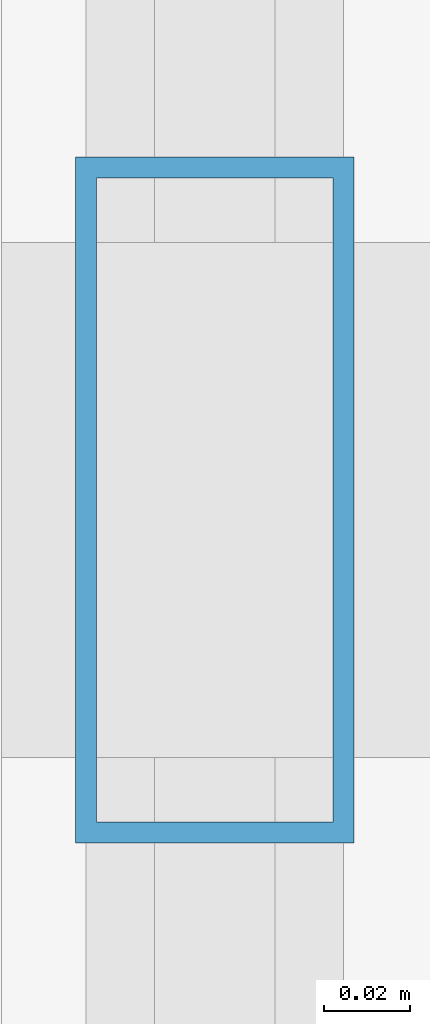
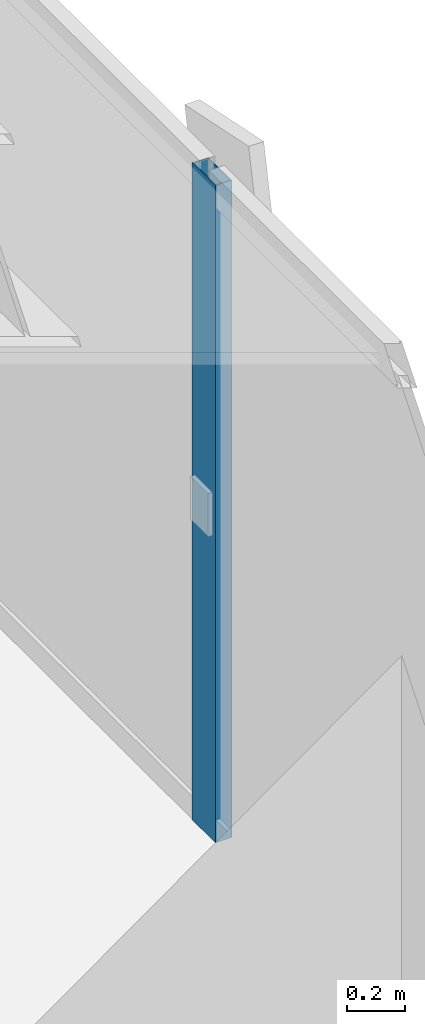
# One storey, part 11 of 28: 1 member, 1 element without a shape of its own.
"""IFC4 building model written with IfcOpenShell, lengths in metres."""

import ifcopenshell
import ifcopenshell.guid

model = None  # the IFC model being written
_history = None  # IfcOwnerHistory: only IFC2X3 demands one
_inside = {}  # id of a spatial element -> (the spatial element, [elements in it])
_under = {}  # id of a project, library or spatial element -> (it, [spatial elements below it])
_declared = {}  # id of a project -> (the project, [libraries it declares])
_typed = {}  # id of a type object -> (the type object, [elements of that type])
_made_of = {}  # id of a material, layer set ... -> (it, [elements and type objects made of it])


def new_model(schema):
    """Start an empty IFC model of exactly this schema.

    Asked for "IFC4X3", IfcOpenShell would pick the latest addendum, in which some entities
    have other attributes; the version numbers below select the first issue.
    IFC2X3 requires an IfcOwnerHistory on every rooted entity: one is made here for all.
    """
    global model, _history
    if schema == "IFC4X3":
        model = ifcopenshell.file(schema_version=(4, 3, 0, 0))
    else:
        model = ifcopenshell.file(schema=schema)
    _inside.clear()
    _under.clear()
    _declared.clear()
    _typed.clear()
    _made_of.clear()
    _history = None
    if model.schema == "IFC2X3":
        org = make("IfcOrganization", Name="unknown")
        user = make(
            "IfcPersonAndOrganization",
            ThePerson=make("IfcPerson", FamilyName="unknown"),
            TheOrganization=org,
        )
        app = make(
            "IfcApplication",
            ApplicationDeveloper=org,
            Version="unknown",
            ApplicationFullName="unknown",
            ApplicationIdentifier="unknown",
        )
        _history = make(
            "IfcOwnerHistory",
            OwningUser=user,
            OwningApplication=app,
            ChangeAction="ADDED",
            CreationDate=0,
        )
    return model


def make(cls, **values):
    """One entity of the class cls with the attributes given. An attribute that is None is left unset."""
    return model.create_entity(
        cls, **{name: value for name, value in values.items() if value is not None}
    )


def rooted(cls, **values):
    """An entity with a GlobalId (a new one), such as an element, a storey or a relation."""
    return make(cls, GlobalId=ifcopenshell.guid.new(), OwnerHistory=_history, **values)


def si_unit(unit_type, name, prefix=None):
    """IfcSIUnit, for example si_unit("LENGTHUNIT", "METRE", prefix="MILLI")."""
    return make("IfcSIUnit", UnitType=unit_type, Prefix=prefix, Name=name)


def assignment(units):
    """IfcUnitAssignment: the units of a project."""
    return None if units is None else make("IfcUnitAssignment", Units=units)


def point(xyz):
    """IfcCartesianPoint."""
    return None if xyz is None else make("IfcCartesianPoint", Coordinates=xyz)


def direction(xyz):
    """IfcDirection."""
    return None if xyz is None else make("IfcDirection", DirectionRatios=xyz)


def frame(location, z_axis=None, x_axis=None):
    """IfcAxis2Placement3D, a coordinate frame: its origin and axes. An axis left out is left unset."""
    return make(
        "IfcAxis2Placement3D",
        Location=point(location),
        Axis=direction(z_axis),
        RefDirection=direction(x_axis),
    )


def frame_2d(location, x_axis=None):
    """IfcAxis2Placement2D, a coordinate frame in the plane: its origin and x axis."""
    return make(
        "IfcAxis2Placement2D", Location=point(location), RefDirection=direction(x_axis)
    )


def origin():
    """The frame at (0, 0, 0) with its axes left unset."""
    return frame((0.0, 0.0, 0.0))


def origin_2d():
    """The frame at (0, 0) in the plane with its x axis left unset."""
    return frame_2d((0.0, 0.0))


def place(relative_to, where):
    """IfcLocalPlacement: puts the frame where relative to a parent placement (None: the world)."""
    return make(
        "IfcLocalPlacement", PlacementRelTo=relative_to, RelativePlacement=where
    )


def context(
    kind, dimensions, precision=None, world=None, true_north=None, identifier=None
):
    """IfcGeometricRepresentationContext, for example the 3D "Model" context."""
    return make(
        "IfcGeometricRepresentationContext",
        ContextIdentifier=identifier,
        ContextType=kind,
        CoordinateSpaceDimension=dimensions,
        Precision=precision,
        WorldCoordinateSystem=world,
        TrueNorth=true_north,
    )


def subcontext(parent, identifier, kind, view, scale=None):
    """IfcGeometricRepresentationSubContext, for example "Body" below "Model"."""
    return make(
        "IfcGeometricRepresentationSubContext",
        ContextIdentifier=identifier,
        ContextType=kind,
        ParentContext=parent,
        TargetScale=scale,
        TargetView=view,
    )


def project(units=None, contexts=None):
    """IfcProject with its units and contexts."""
    return rooted(
        "IfcProject",
        Name="project",
        RepresentationContexts=contexts,
        UnitsInContext=assignment(units),
    )


def spatial(cls, under=None, at=None, **own):
    """A site, building, storey or space (cls), placed at a placement, below another one or the project."""
    s = rooted(cls, ObjectPlacement=at, **own)
    if under is not None:
        _under.setdefault(under.id(), (under, []))[1].append(s)
    return s


def profile(cls, at=None, kind="AREA", **sizes):
    """A parametric profile (cls). Its sizes go by their IFC names, for example OverallWidth=200.0."""
    return make(cls, ProfileType=kind, Position=at, **sizes)


def hollow_rectangle(**sizes):
    """IfcRectangleHollowProfileDef."""
    return profile("IfcRectangleHollowProfileDef", **sizes)


def extrude(swept, where, along, depth):
    """IfcExtrudedAreaSolid: the profile swept, set in the frame where, extruded along a direction by depth."""
    return make(
        "IfcExtrudedAreaSolid",
        SweptArea=swept,
        Position=where,
        ExtrudedDirection=direction(along),
        Depth=depth,
    )


def shape(context_of_items, identifier, shape_type, items):
    """IfcShapeRepresentation: the items that make up one representation, for example the "Body"."""
    return make(
        "IfcShapeRepresentation",
        ContextOfItems=context_of_items,
        RepresentationIdentifier=identifier,
        RepresentationType=shape_type,
        Items=items,
    )


def source(mapping_origin, context_of_items, identifier, shape_type, items):
    """IfcRepresentationMap: a shape defined once, which mapped items show again and again."""
    return make(
        "IfcRepresentationMap",
        MappingOrigin=mapping_origin,
        MappedRepresentation=shape(context_of_items, identifier, shape_type, items),
    )


def transform(
    local_origin,
    x_axis=None,
    y_axis=None,
    z_axis=None,
    scale=None,
    scale2=None,
    scale3=None,
    uniform=True,
):
    """IfcCartesianTransformationOperator3D, or its non-uniform kind. x_axis, y_axis, z_axis: its Axis1, 2, 3."""
    if uniform:
        return make(
            "IfcCartesianTransformationOperator3D",
            Axis1=direction(x_axis),
            Axis2=direction(y_axis),
            LocalOrigin=point(local_origin),
            Scale=scale,
            Axis3=direction(z_axis),
        )
    return make(
        "IfcCartesianTransformationOperator3DnonUniform",
        Axis1=direction(x_axis),
        Axis2=direction(y_axis),
        LocalOrigin=point(local_origin),
        Scale=scale,
        Axis3=direction(z_axis),
        Scale2=scale2,
        Scale3=scale3,
    )


def mapped(mapping_source, mapping_target):
    """IfcMappedItem: shows the shape of a source again, moved by a transform."""
    return make(
        "IfcMappedItem", MappingSource=mapping_source, MappingTarget=mapping_target
    )


def material(Name=None, Category=None):
    """IfcMaterial."""
    return make("IfcMaterial", Name=Name, Category=Category)


def layer(
    of_material, thickness, ventilated=None, Name=None, Category=None, Priority=None
):
    """IfcMaterialLayer: one layer of a wall or slab, of a material (None: an air gap)."""
    return make(
        "IfcMaterialLayer",
        Material=of_material,
        LayerThickness=thickness,
        IsVentilated=ventilated,
        Name=Name,
        Category=Category,
        Priority=Priority,
    )


def layer_set(layers, Name=None):
    """IfcMaterialLayerSet."""
    return make("IfcMaterialLayerSet", MaterialLayers=layers, LayerSetName=Name)


def material_profile(
    of_material, cross_section, Name=None, Category=None, Priority=None
):
    """IfcMaterialProfile: a cross section and its material."""
    return make(
        "IfcMaterialProfile",
        Name=Name,
        Material=of_material,
        Profile=cross_section,
        Priority=Priority,
        Category=Category,
    )


def profile_set(profiles, Name=None, composite=None):
    """IfcMaterialProfileSet."""
    return make(
        "IfcMaterialProfileSet",
        Name=Name,
        MaterialProfiles=profiles,
        CompositeProfile=composite,
    )


def made_of(thing, what):
    """Note that an element or type object is made of a material, layer set ...; save() writes the relation."""
    if what is not None:
        _made_of.setdefault(what.id(), (what, []))[1].append(thing)
    return thing


def type_object(cls, material=None, **own):
    """A type object (cls), such as IfcWallType, which elements share."""
    return made_of(rooted(cls, **own), material)


def element(
    cls,
    number,
    at=None,
    inside=None,
    cuts=None,
    type_object=None,
    material=None,
    context=None,
    identifier="Body",
    shape_type=None,
    held_by="IfcProductDefinitionShape",
    body=None,
    shapes=None,
    **own,
):
    """One element of the class cls, such as IfcWall. Its Tag is "e" and its number.

    at: its placement. inside: the storey or other place that contains it. cuts: it is an
    opening in that element (IfcRelVoidsElement). A single representation is given by context,
    identifier, shape_type and body (its items); several are given by shapes. held_by: the class
    of the entity that holds the representations. save() writes the other relations.
    """
    e = rooted(cls, Tag="e%d" % number, ObjectPlacement=at, **own)
    if body is not None:
        shapes = [shape(context, identifier, shape_type, body)]
    if shapes is not None:
        e.Representation = make(held_by, Representations=shapes)
    if inside is not None:
        _inside.setdefault(inside.id(), (inside, []))[1].append(e)
    if cuts is not None:
        rooted(
            "IfcRelVoidsElement", RelatingBuildingElement=cuts, RelatedOpeningElement=e
        )
    if type_object is not None:
        _typed.setdefault(type_object.id(), (type_object, []))[1].append(e)
    return made_of(e, material)


def aggregate(whole, parts):
    """IfcRelAggregates: a whole, such as a stair, and the parts it consists of."""
    return rooted("IfcRelAggregates", RelatingObject=whole, RelatedObjects=parts)


def save(model, path):
    """Write the relations noted so far, then the file.

    IfcRelAggregates (storeys below a building ...), IfcRelContainedInSpatialStructure (elements
    in a storey), IfcRelDefinesByType, IfcRelAssociatesMaterial and IfcRelDeclares: one each for
    every whole, place, type object, material and project.
    """
    for whole, parts in _under.values():
        aggregate(whole, parts)
    for where, things in _inside.values():
        rooted(
            "IfcRelContainedInSpatialStructure",
            RelatedElements=things,
            RelatingStructure=where,
        )
    for kind, things in _typed.values():
        rooted("IfcRelDefinesByType", RelatedObjects=things, RelatingType=kind)
    for what, things in _made_of.values():
        rooted("IfcRelAssociatesMaterial", RelatedObjects=things, RelatingMaterial=what)
    for by, libraries in _declared.values():
        rooted("IfcRelDeclares", RelatingContext=by, RelatedDefinitions=libraries)
    model.write(path)


model = new_model("IFC4")

# Units and contexts
model_context = context("Model", 3, precision=1e-05, world=origin(), true_north=direction((0.0, 1.0)))
body_context = subcontext(model_context, "Body", "Model", "MODEL_VIEW")
ifc_project = project(units=[si_unit("LENGTHUNIT", "METRE"), si_unit("AREAUNIT", "SQUARE_METRE"), si_unit("VOLUMEUNIT", "CUBIC_METRE"), si_unit("PLANEANGLEUNIT", "RADIAN"), si_unit("MASSUNIT", "GRAM", prefix="KILO")], contexts=[model_context])

# Site, building, storey
site_placement = place(None, origin())
site = spatial("IfcSite", under=ifc_project, at=site_placement, CompositionType="ELEMENT")
building_placement = place(site_placement, origin())
building = spatial("IfcBuilding", under=site, at=building_placement, Name="Sumidabori Civic Tower", CompositionType="ELEMENT")
storey_placement = place(building_placement, frame((0.0, 0.0, 146.0)))
storey = spatial("IfcBuildingStorey", under=building, at=storey_placement, Name="L37", CompositionType="ELEMENT", Elevation=146.0)

# Curtain wall, member
ifc_material = material(Name="Anodised Bronze Aluminium AW-6063-T6", Category="aluminium")
ifc_layer = layer(ifc_material, 0.179931640625, Name="Anodised Bronze Aluminium AW-6063-T6")
ifc_layer_set = layer_set([ifc_layer], Name="Anodised Bronze Aluminium AW-6063-T6")
curtain_wall_type = type_object("IfcCurtainWallType", Name="CW-SYS-3", PredefinedType="NOTDEFINED", material=ifc_layer_set)
curtain_wall_placement = place(storey_placement, origin())
curtain_wall = element("IfcCurtainWall", 1, at=curtain_wall_placement, inside=storey, type_object=curtain_wall_type, Name="Curtain Wall CW:L37:R04", PredefinedType="NOTDEFINED")
ifc_material_profile = material_profile(ifc_material, hollow_rectangle(XDim=0.06494140625, YDim=0.159912109375, WallThickness=0.0048828125, at=origin_2d()), Name="ALU MULLION 160x65")
ifc_profile_set = profile_set([ifc_material_profile], Name="Anodised Bronze Aluminium AW-6063-T6")
member_type = type_object("IfcMemberType", Name="CW-MUL-160", PredefinedType="MULLION", material=ifc_profile_set)
shared_shape = source(origin(), body_context, "Body", "SweptSolid", [
    extrude(hollow_rectangle(XDim=0.06494140625, YDim=0.159912109375, WallThickness=0.0048828125, at=origin_2d()), origin(), (0.0, 0.0, 1.0), 2.760009765625),
])
member_placement = place(storey_placement, frame((23.8798828125, -8.2099609375, 0.0), z_axis=(0.0, 0.0, 1.0), x_axis=(-1.0, 0.0, 0.0)))
member = element("IfcMember", 2, at=member_placement, type_object=member_type, Name="CW-3 mullion 2", PredefinedType="MULLION", context=body_context, shape_type="MappedRepresentation", body=[
    mapped(shared_shape, transform((0.0, 0.0, 0.0), x_axis=(1.0, 0.0, 0.0), y_axis=(0.0, 1.0, 0.0), z_axis=(0.0, 0.0, 1.0), scale=1.0)),
])
aggregate(curtain_wall, [member])

save(model, "model.ifc")
